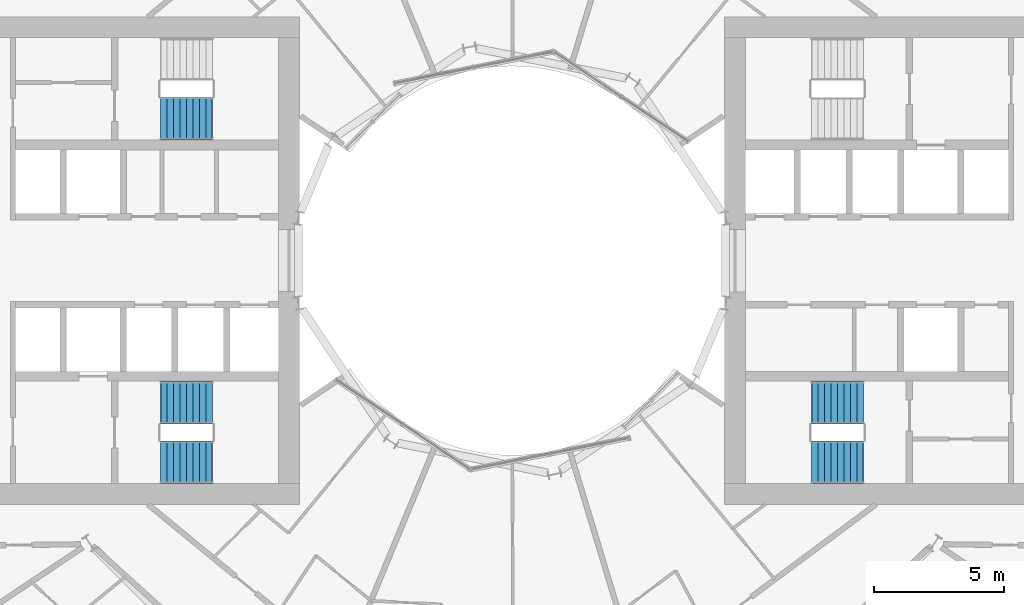
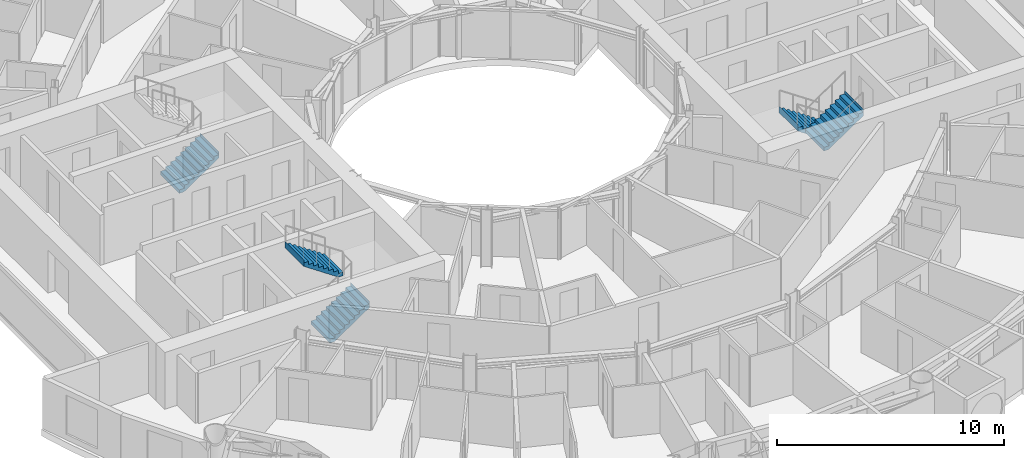
# One storey, part 23 of 26: 5 stair flights, 3 elements without a shape of their own.
"""IFC4 building model written with IfcOpenShell, lengths in metres."""

from ifc_helpers import new_model, si_unit, direction, frame, origin, place, context, subcontext, project, spatial, triangles, material, type_object, element, aggregate, save


model = new_model("IFC4")

# Units and contexts
model_context = context("Model", 3, precision=1e-05, world=origin(), true_north=direction((0.0, 1.0)))
body_context = subcontext(model_context, "Body", "Model", "MODEL_VIEW")
ifc_project = project(units=[si_unit("LENGTHUNIT", "METRE"), si_unit("AREAUNIT", "SQUARE_METRE"), si_unit("VOLUMEUNIT", "CUBIC_METRE"), si_unit("PLANEANGLEUNIT", "RADIAN"), si_unit("MASSUNIT", "GRAM", prefix="KILO")], contexts=[model_context])

# Site, building, storey
site_placement = place(None, origin())
site = spatial("IfcSite", under=ifc_project, at=site_placement, CompositionType="ELEMENT")
building_placement = place(site_placement, origin())
building = spatial("IfcBuilding", under=site, at=building_placement, Name="Maasbend Ring Residences", CompositionType="ELEMENT")
storey_placement = place(building_placement, frame((0.0, 0.0, 44.14990234375)))
storey = spatial("IfcBuildingStorey", under=building, at=storey_placement, Name="L12", CompositionType="ELEMENT", Elevation=44.14990234375)

# Stair, stair flights
ifc_material_1 = material(Name="Concrete C40/50", Category="concrete")
stair_type = type_object("IfcStairType", Name="CORE STAIR 18 RISERS", PredefinedType="HALF_TURN_STAIR", material=ifc_material_1)
stair_1_placement = place(storey_placement, origin())
stair_1 = element("IfcStair", 1, at=stair_1_placement, inside=storey, type_object=stair_type, Name="L12 Exit stair ST-E2", PredefinedType="HALF_TURN_STAIR")
ifc_material_2 = material(Name="Concrete C40/50", Category="concrete")
stair_flight_type = type_object("IfcStairFlightType", Name="CORE STAIR FLIGHT 1650", PredefinedType="STRAIGHT", material=ifc_material_2)
stair_flight_1_placement = place(storey_placement, frame((13.550048828125, -5.47509765625, 0.0), z_axis=(0.0, 0.0, 1.0), x_axis=(-1.0, 0.0, 0.0)))
stair_flight_1 = element("IfcStairFlight", 2, at=stair_flight_1_placement, type_object=stair_flight_type, Name="ST-E2 flight 1", NumberOfRisers=9, NumberOfTreads=8, PredefinedType="STRAIGHT", RiserHeight=0.169444444, TreadLength=0.25, context=body_context, shape_type="Tessellation", body=[
    triangles([(0.24072265625, 0.824951171875, -0.02001953125), (2.0029296875, 0.824951171875, 1.174560546875), (2.0029296875, 0.824951171875, 1.52490234375), (1.989990234375, 0.824951171875, 1.35546875), (1.75, 0.824951171875, 1.35546875), (1.75, 0.824951171875, 1.18603515625), (1.5, 0.824951171875, 1.18603515625), (1.5, 0.824951171875, 1.0166015625), (1.25, 0.824951171875, 1.0166015625), (1.25, 0.824951171875, 0.84716796875), (1.0, 0.824951171875, 0.84716796875), (1.0, 0.824951171875, 0.677734375), (0.75, 0.824951171875, 0.677734375), (0.75, 0.824951171875, 0.50830078125), (0.5, 0.824951171875, 0.50830078125), (0.5, 0.824951171875, 0.3388671875), (0.25, 0.824951171875, 0.3388671875), (0.25, 0.824951171875, 0.16943359375), (0.0, 0.824951171875, 0.16943359375), (0.0, 0.824951171875, 0.0), (-0.0029296875, 0.824951171875, 0.0), (-0.0029296875, 0.824951171875, -0.02001953125), (0.24072265625, 0.27490234375, -0.02001953125), (2.0029296875, 0.27490234375, 1.174560546875), (2.0029296875, 0.27490234375, 1.52490234375), (1.989990234375, 0.27490234375, 1.35546875), (1.75, 0.27490234375, 1.35546875), (1.75, 0.27490234375, 1.18603515625), (1.5, 0.27490234375, 1.18603515625), (1.5, 0.27490234375, 1.0166015625), (1.25, 0.27490234375, 1.0166015625), (1.25, 0.27490234375, 0.84716796875), (1.0, 0.27490234375, 0.84716796875), (1.0, 0.27490234375, 0.677734375), (0.75, 0.27490234375, 0.677734375), (0.75, 0.27490234375, 0.50830078125), (0.5, 0.27490234375, 0.50830078125), (0.5, 0.27490234375, 0.3388671875), (0.25, 0.27490234375, 0.3388671875), (0.25, 0.27490234375, 0.16943359375), (0.0, 0.27490234375, 0.16943359375), (0.0, 0.27490234375, 0.0), (-0.0029296875, 0.27490234375, 0.0), (-0.0029296875, 0.27490234375, -0.02001953125), (0.24072265625, -0.27490234375, -0.02001953125), (2.0029296875, -0.27490234375, 1.174560546875), (2.0029296875, -0.27490234375, 1.52490234375), (1.989990234375, -0.27490234375, 1.35546875), (1.75, -0.27490234375, 1.35546875), (1.75, -0.27490234375, 1.18603515625), (1.5, -0.27490234375, 1.18603515625), (1.5, -0.27490234375, 1.0166015625), (1.25, -0.27490234375, 1.0166015625), (1.25, -0.27490234375, 0.84716796875), (1.0, -0.27490234375, 0.84716796875), (1.0, -0.27490234375, 0.677734375), (0.75, -0.27490234375, 0.677734375), (0.75, -0.27490234375, 0.50830078125), (0.5, -0.27490234375, 0.50830078125), (0.5, -0.27490234375, 0.3388671875), (0.25, -0.27490234375, 0.3388671875), (0.25, -0.27490234375, 0.16943359375), (0.0, -0.27490234375, 0.16943359375), (0.0, -0.27490234375, 0.0), (-0.0029296875, -0.27490234375, 0.0), (-0.0029296875, -0.27490234375, -0.02001953125), (0.24072265625, -0.824951171875, -0.02001953125), (2.0029296875, -0.824951171875, 1.174560546875), (2.0029296875, -0.824951171875, 1.52490234375), (1.989990234375, -0.824951171875, 1.35546875), (1.75, -0.824951171875, 1.35546875), (1.75, -0.824951171875, 1.18603515625), (1.5, -0.824951171875, 1.18603515625), (1.5, -0.824951171875, 1.0166015625), (1.25, -0.824951171875, 1.0166015625), (1.25, -0.824951171875, 0.84716796875), (1.0, -0.824951171875, 0.84716796875), (1.0, -0.824951171875, 0.677734375), (0.75, -0.824951171875, 0.677734375), (0.75, -0.824951171875, 0.50830078125), (0.5, -0.824951171875, 0.50830078125), (0.5, -0.824951171875, 0.3388671875), (0.25, -0.824951171875, 0.3388671875), (0.25, -0.824951171875, 0.16943359375), (0.0, -0.824951171875, 0.16943359375), (0.0, -0.824951171875, 0.0), (-0.0029296875, -0.824951171875, 0.0), (-0.0029296875, -0.824951171875, -0.02001953125)], [[1, 2, 24], [1, 24, 23], [23, 24, 46], [23, 46, 45], [45, 46, 68], [45, 68, 67], [2, 3, 25], [2, 25, 24], [24, 25, 47], [24, 47, 46], [46, 47, 69], [46, 69, 68], [3, 4, 26], [3, 26, 25], [25, 26, 48], [25, 48, 47], [47, 48, 70], [47, 70, 69], [4, 5, 27], [4, 27, 26], [26, 27, 49], [26, 49, 48], [48, 49, 71], [48, 71, 70], [5, 6, 28], [5, 28, 27], [27, 28, 50], [27, 50, 49], [49, 50, 72], [49, 72, 71], [6, 7, 29], [6, 29, 28], [28, 29, 51], [28, 51, 50], [50, 51, 73], [50, 73, 72], [7, 8, 30], [7, 30, 29], [29, 30, 52], [29, 52, 51], [51, 52, 74], [51, 74, 73], [8, 9, 31], [8, 31, 30], [30, 31, 53], [30, 53, 52], [52, 53, 75], [52, 75, 74], [9, 10, 32], [9, 32, 31], [31, 32, 54], [31, 54, 53], [53, 54, 76], [53, 76, 75], [10, 11, 33], [10, 33, 32], [32, 33, 55], [32, 55, 54], [54, 55, 77], [54, 77, 76], [11, 12, 34], [11, 34, 33], [33, 34, 56], [33, 56, 55], [55, 56, 78], [55, 78, 77], [12, 13, 35], [12, 35, 34], [34, 35, 57], [34, 57, 56], [56, 57, 79], [56, 79, 78], [13, 14, 36], [13, 36, 35], [35, 36, 58], [35, 58, 57], [57, 58, 80], [57, 80, 79], [14, 15, 37], [14, 37, 36], [36, 37, 59], [36, 59, 58], [58, 59, 81], [58, 81, 80], [15, 16, 38], [15, 38, 37], [37, 38, 60], [37, 60, 59], [59, 60, 82], [59, 82, 81], [16, 17, 39], [16, 39, 38], [38, 39, 61], [38, 61, 60], [60, 61, 83], [60, 83, 82], [17, 18, 40], [17, 40, 39], [39, 40, 62], [39, 62, 61], [61, 62, 84], [61, 84, 83], [18, 19, 41], [18, 41, 40], [40, 41, 63], [40, 63, 62], [62, 63, 85], [62, 85, 84], [19, 20, 42], [19, 42, 41], [41, 42, 64], [41, 64, 63], [63, 64, 86], [63, 86, 85], [20, 21, 43], [20, 43, 42], [42, 43, 65], [42, 65, 64], [64, 65, 87], [64, 87, 86], [21, 22, 44], [21, 44, 43], [43, 44, 66], [43, 66, 65], [65, 66, 88], [65, 88, 87], [22, 1, 23], [22, 23, 44], [44, 23, 45], [44, 45, 66], [66, 45, 67], [66, 67, 88], [22, 2, 1], [2, 4, 3], [2, 5, 4], [2, 6, 5], [22, 6, 2], [6, 8, 7], [22, 8, 6], [8, 10, 9], [22, 10, 8], [10, 12, 11], [22, 12, 10], [12, 14, 13], [22, 14, 12], [14, 16, 15], [22, 16, 14], [16, 18, 17], [22, 18, 16], [18, 20, 19], [22, 20, 18], [20, 22, 21], [88, 67, 68], [68, 69, 70], [68, 70, 71], [68, 71, 72], [88, 68, 72], [72, 73, 74], [88, 72, 74], [74, 75, 76], [88, 74, 76], [76, 77, 78], [88, 76, 78], [78, 79, 80], [88, 78, 80], [80, 81, 82], [88, 80, 82], [82, 83, 84], [88, 82, 84], [84, 85, 86], [88, 84, 86], [86, 87, 88]], closed=True),
])
stair_flight_2_placement = place(storey_placement, frame((11.550048828125, -7.77490234375, 1.525146484375), z_axis=(0.0, 0.0, 1.0), x_axis=(1.0, 0.0, 0.0)))
stair_flight_2 = element("IfcStairFlight", 3, at=stair_flight_2_placement, type_object=stair_flight_type, Name="ST-E2 flight 2", NumberOfRisers=9, NumberOfTreads=8, PredefinedType="STRAIGHT", RiserHeight=0.169444444, TreadLength=0.25, context=body_context, shape_type="Tessellation", body=[
    triangles([(0.24072265625, 0.824951171875, -0.02001953125), (2.0029296875, 0.824951171875, 1.174560546875), (2.0029296875, 0.824951171875, 1.52490234375), (1.989990234375, 0.824951171875, 1.35546875), (1.75, 0.824951171875, 1.35546875), (1.75, 0.824951171875, 1.18603515625), (1.5, 0.824951171875, 1.18603515625), (1.5, 0.824951171875, 1.0166015625), (1.25, 0.824951171875, 1.0166015625), (1.25, 0.824951171875, 0.84716796875), (1.0, 0.824951171875, 0.84716796875), (1.0, 0.824951171875, 0.677734375), (0.75, 0.824951171875, 0.677734375), (0.75, 0.824951171875, 0.50830078125), (0.5, 0.824951171875, 0.50830078125), (0.5, 0.824951171875, 0.3388671875), (0.25, 0.824951171875, 0.3388671875), (0.25, 0.824951171875, 0.16943359375), (0.0, 0.824951171875, 0.16943359375), (0.0, 0.824951171875, 0.0), (-0.0029296875, 0.824951171875, 0.0), (-0.0029296875, 0.824951171875, -0.02001953125), (0.24072265625, 0.27490234375, -0.02001953125), (2.0029296875, 0.27490234375, 1.174560546875), (2.0029296875, 0.27490234375, 1.52490234375), (1.989990234375, 0.27490234375, 1.35546875), (1.75, 0.27490234375, 1.35546875), (1.75, 0.27490234375, 1.18603515625), (1.5, 0.27490234375, 1.18603515625), (1.5, 0.27490234375, 1.0166015625), (1.25, 0.27490234375, 1.0166015625), (1.25, 0.27490234375, 0.84716796875), (1.0, 0.27490234375, 0.84716796875), (1.0, 0.27490234375, 0.677734375), (0.75, 0.27490234375, 0.677734375), (0.75, 0.27490234375, 0.50830078125), (0.5, 0.27490234375, 0.50830078125), (0.5, 0.27490234375, 0.3388671875), (0.25, 0.27490234375, 0.3388671875), (0.25, 0.27490234375, 0.16943359375), (0.0, 0.27490234375, 0.16943359375), (0.0, 0.27490234375, 0.0), (-0.0029296875, 0.27490234375, 0.0), (-0.0029296875, 0.27490234375, -0.02001953125), (0.24072265625, -0.27490234375, -0.02001953125), (2.0029296875, -0.27490234375, 1.174560546875), (2.0029296875, -0.27490234375, 1.52490234375), (1.989990234375, -0.27490234375, 1.35546875), (1.75, -0.27490234375, 1.35546875), (1.75, -0.27490234375, 1.18603515625), (1.5, -0.27490234375, 1.18603515625), (1.5, -0.27490234375, 1.0166015625), (1.25, -0.27490234375, 1.0166015625), (1.25, -0.27490234375, 0.84716796875), (1.0, -0.27490234375, 0.84716796875), (1.0, -0.27490234375, 0.677734375), (0.75, -0.27490234375, 0.677734375), (0.75, -0.27490234375, 0.50830078125), (0.5, -0.27490234375, 0.50830078125), (0.5, -0.27490234375, 0.3388671875), (0.25, -0.27490234375, 0.3388671875), (0.25, -0.27490234375, 0.16943359375), (0.0, -0.27490234375, 0.16943359375), (0.0, -0.27490234375, 0.0), (-0.0029296875, -0.27490234375, 0.0), (-0.0029296875, -0.27490234375, -0.02001953125), (0.24072265625, -0.824951171875, -0.02001953125), (2.0029296875, -0.824951171875, 1.174560546875), (2.0029296875, -0.824951171875, 1.52490234375), (1.989990234375, -0.824951171875, 1.35546875), (1.75, -0.824951171875, 1.35546875), (1.75, -0.824951171875, 1.18603515625), (1.5, -0.824951171875, 1.18603515625), (1.5, -0.824951171875, 1.0166015625), (1.25, -0.824951171875, 1.0166015625), (1.25, -0.824951171875, 0.84716796875), (1.0, -0.824951171875, 0.84716796875), (1.0, -0.824951171875, 0.677734375), (0.75, -0.824951171875, 0.677734375), (0.75, -0.824951171875, 0.50830078125), (0.5, -0.824951171875, 0.50830078125), (0.5, -0.824951171875, 0.3388671875), (0.25, -0.824951171875, 0.3388671875), (0.25, -0.824951171875, 0.16943359375), (0.0, -0.824951171875, 0.16943359375), (0.0, -0.824951171875, 0.0), (-0.0029296875, -0.824951171875, 0.0), (-0.0029296875, -0.824951171875, -0.02001953125)], [[1, 2, 24], [1, 24, 23], [23, 24, 46], [23, 46, 45], [45, 46, 68], [45, 68, 67], [2, 3, 25], [2, 25, 24], [24, 25, 47], [24, 47, 46], [46, 47, 69], [46, 69, 68], [3, 4, 26], [3, 26, 25], [25, 26, 48], [25, 48, 47], [47, 48, 70], [47, 70, 69], [4, 5, 27], [4, 27, 26], [26, 27, 49], [26, 49, 48], [48, 49, 71], [48, 71, 70], [5, 6, 28], [5, 28, 27], [27, 28, 50], [27, 50, 49], [49, 50, 72], [49, 72, 71], [6, 7, 29], [6, 29, 28], [28, 29, 51], [28, 51, 50], [50, 51, 73], [50, 73, 72], [7, 8, 30], [7, 30, 29], [29, 30, 52], [29, 52, 51], [51, 52, 74], [51, 74, 73], [8, 9, 31], [8, 31, 30], [30, 31, 53], [30, 53, 52], [52, 53, 75], [52, 75, 74], [9, 10, 32], [9, 32, 31], [31, 32, 54], [31, 54, 53], [53, 54, 76], [53, 76, 75], [10, 11, 33], [10, 33, 32], [32, 33, 55], [32, 55, 54], [54, 55, 77], [54, 77, 76], [11, 12, 34], [11, 34, 33], [33, 34, 56], [33, 56, 55], [55, 56, 78], [55, 78, 77], [12, 13, 35], [12, 35, 34], [34, 35, 57], [34, 57, 56], [56, 57, 79], [56, 79, 78], [13, 14, 36], [13, 36, 35], [35, 36, 58], [35, 58, 57], [57, 58, 80], [57, 80, 79], [14, 15, 37], [14, 37, 36], [36, 37, 59], [36, 59, 58], [58, 59, 81], [58, 81, 80], [15, 16, 38], [15, 38, 37], [37, 38, 60], [37, 60, 59], [59, 60, 82], [59, 82, 81], [16, 17, 39], [16, 39, 38], [38, 39, 61], [38, 61, 60], [60, 61, 83], [60, 83, 82], [17, 18, 40], [17, 40, 39], [39, 40, 62], [39, 62, 61], [61, 62, 84], [61, 84, 83], [18, 19, 41], [18, 41, 40], [40, 41, 63], [40, 63, 62], [62, 63, 85], [62, 85, 84], [19, 20, 42], [19, 42, 41], [41, 42, 64], [41, 64, 63], [63, 64, 86], [63, 86, 85], [20, 21, 43], [20, 43, 42], [42, 43, 65], [42, 65, 64], [64, 65, 87], [64, 87, 86], [21, 22, 44], [21, 44, 43], [43, 44, 66], [43, 66, 65], [65, 66, 88], [65, 88, 87], [22, 1, 23], [22, 23, 44], [44, 23, 45], [44, 45, 66], [66, 45, 67], [66, 67, 88], [22, 2, 1], [2, 4, 3], [2, 5, 4], [2, 6, 5], [22, 6, 2], [6, 8, 7], [22, 8, 6], [8, 10, 9], [22, 10, 8], [10, 12, 11], [22, 12, 10], [12, 14, 13], [22, 14, 12], [14, 16, 15], [22, 16, 14], [16, 18, 17], [22, 18, 16], [18, 20, 19], [22, 20, 18], [20, 22, 21], [88, 67, 68], [68, 69, 70], [68, 70, 71], [68, 71, 72], [88, 68, 72], [72, 73, 74], [88, 72, 74], [74, 75, 76], [88, 74, 76], [76, 77, 78], [88, 76, 78], [78, 79, 80], [88, 78, 80], [80, 81, 82], [88, 80, 82], [82, 83, 84], [88, 82, 84], [84, 85, 86], [88, 84, 86], [86, 87, 88]], closed=True),
])
aggregate(stair_1, [stair_flight_1, stair_flight_2])

stair_2_placement = place(storey_placement, origin())
stair_2 = element("IfcStair", 4, at=stair_2_placement, inside=storey, type_object=stair_type, Name="L12 Exit stair ST-W1", PredefinedType="HALF_TURN_STAIR")
stair_flight_3_placement = place(storey_placement, frame((-13.550048828125, -7.77490234375, 0.0), z_axis=(0.0, 0.0, 1.0), x_axis=(1.0, 0.0, 0.0)))
stair_flight_3 = element("IfcStairFlight", 5, at=stair_flight_3_placement, type_object=stair_flight_type, Name="ST-W1 flight 1", NumberOfRisers=9, NumberOfTreads=8, PredefinedType="STRAIGHT", RiserHeight=0.169444444, TreadLength=0.25, context=body_context, shape_type="Tessellation", body=[
    triangles([(0.24072265625, 0.824951171875, -0.02001953125), (2.0029296875, 0.824951171875, 1.174560546875), (2.0029296875, 0.824951171875, 1.52490234375), (1.989990234375, 0.824951171875, 1.35546875), (1.75, 0.824951171875, 1.35546875), (1.75, 0.824951171875, 1.18603515625), (1.5, 0.824951171875, 1.18603515625), (1.5, 0.824951171875, 1.0166015625), (1.25, 0.824951171875, 1.0166015625), (1.25, 0.824951171875, 0.84716796875), (1.0, 0.824951171875, 0.84716796875), (1.0, 0.824951171875, 0.677734375), (0.75, 0.824951171875, 0.677734375), (0.75, 0.824951171875, 0.50830078125), (0.5, 0.824951171875, 0.50830078125), (0.5, 0.824951171875, 0.3388671875), (0.25, 0.824951171875, 0.3388671875), (0.25, 0.824951171875, 0.16943359375), (0.0, 0.824951171875, 0.16943359375), (0.0, 0.824951171875, 0.0), (-0.0029296875, 0.824951171875, 0.0), (-0.0029296875, 0.824951171875, -0.02001953125), (0.24072265625, 0.27490234375, -0.02001953125), (2.0029296875, 0.27490234375, 1.174560546875), (2.0029296875, 0.27490234375, 1.52490234375), (1.989990234375, 0.27490234375, 1.35546875), (1.75, 0.27490234375, 1.35546875), (1.75, 0.27490234375, 1.18603515625), (1.5, 0.27490234375, 1.18603515625), (1.5, 0.27490234375, 1.0166015625), (1.25, 0.27490234375, 1.0166015625), (1.25, 0.27490234375, 0.84716796875), (1.0, 0.27490234375, 0.84716796875), (1.0, 0.27490234375, 0.677734375), (0.75, 0.27490234375, 0.677734375), (0.75, 0.27490234375, 0.50830078125), (0.5, 0.27490234375, 0.50830078125), (0.5, 0.27490234375, 0.3388671875), (0.25, 0.27490234375, 0.3388671875), (0.25, 0.27490234375, 0.16943359375), (0.0, 0.27490234375, 0.16943359375), (0.0, 0.27490234375, 0.0), (-0.0029296875, 0.27490234375, 0.0), (-0.0029296875, 0.27490234375, -0.02001953125), (0.24072265625, -0.27490234375, -0.02001953125), (2.0029296875, -0.27490234375, 1.174560546875), (2.0029296875, -0.27490234375, 1.52490234375), (1.989990234375, -0.27490234375, 1.35546875), (1.75, -0.27490234375, 1.35546875), (1.75, -0.27490234375, 1.18603515625), (1.5, -0.27490234375, 1.18603515625), (1.5, -0.27490234375, 1.0166015625), (1.25, -0.27490234375, 1.0166015625), (1.25, -0.27490234375, 0.84716796875), (1.0, -0.27490234375, 0.84716796875), (1.0, -0.27490234375, 0.677734375), (0.75, -0.27490234375, 0.677734375), (0.75, -0.27490234375, 0.50830078125), (0.5, -0.27490234375, 0.50830078125), (0.5, -0.27490234375, 0.3388671875), (0.25, -0.27490234375, 0.3388671875), (0.25, -0.27490234375, 0.16943359375), (0.0, -0.27490234375, 0.16943359375), (0.0, -0.27490234375, 0.0), (-0.0029296875, -0.27490234375, 0.0), (-0.0029296875, -0.27490234375, -0.02001953125), (0.24072265625, -0.824951171875, -0.02001953125), (2.0029296875, -0.824951171875, 1.174560546875), (2.0029296875, -0.824951171875, 1.52490234375), (1.989990234375, -0.824951171875, 1.35546875), (1.75, -0.824951171875, 1.35546875), (1.75, -0.824951171875, 1.18603515625), (1.5, -0.824951171875, 1.18603515625), (1.5, -0.824951171875, 1.0166015625), (1.25, -0.824951171875, 1.0166015625), (1.25, -0.824951171875, 0.84716796875), (1.0, -0.824951171875, 0.84716796875), (1.0, -0.824951171875, 0.677734375), (0.75, -0.824951171875, 0.677734375), (0.75, -0.824951171875, 0.50830078125), (0.5, -0.824951171875, 0.50830078125), (0.5, -0.824951171875, 0.3388671875), (0.25, -0.824951171875, 0.3388671875), (0.25, -0.824951171875, 0.16943359375), (0.0, -0.824951171875, 0.16943359375), (0.0, -0.824951171875, 0.0), (-0.0029296875, -0.824951171875, 0.0), (-0.0029296875, -0.824951171875, -0.02001953125)], [[1, 2, 24], [1, 24, 23], [23, 24, 46], [23, 46, 45], [45, 46, 68], [45, 68, 67], [2, 3, 25], [2, 25, 24], [24, 25, 47], [24, 47, 46], [46, 47, 69], [46, 69, 68], [3, 4, 26], [3, 26, 25], [25, 26, 48], [25, 48, 47], [47, 48, 70], [47, 70, 69], [4, 5, 27], [4, 27, 26], [26, 27, 49], [26, 49, 48], [48, 49, 71], [48, 71, 70], [5, 6, 28], [5, 28, 27], [27, 28, 50], [27, 50, 49], [49, 50, 72], [49, 72, 71], [6, 7, 29], [6, 29, 28], [28, 29, 51], [28, 51, 50], [50, 51, 73], [50, 73, 72], [7, 8, 30], [7, 30, 29], [29, 30, 52], [29, 52, 51], [51, 52, 74], [51, 74, 73], [8, 9, 31], [8, 31, 30], [30, 31, 53], [30, 53, 52], [52, 53, 75], [52, 75, 74], [9, 10, 32], [9, 32, 31], [31, 32, 54], [31, 54, 53], [53, 54, 76], [53, 76, 75], [10, 11, 33], [10, 33, 32], [32, 33, 55], [32, 55, 54], [54, 55, 77], [54, 77, 76], [11, 12, 34], [11, 34, 33], [33, 34, 56], [33, 56, 55], [55, 56, 78], [55, 78, 77], [12, 13, 35], [12, 35, 34], [34, 35, 57], [34, 57, 56], [56, 57, 79], [56, 79, 78], [13, 14, 36], [13, 36, 35], [35, 36, 58], [35, 58, 57], [57, 58, 80], [57, 80, 79], [14, 15, 37], [14, 37, 36], [36, 37, 59], [36, 59, 58], [58, 59, 81], [58, 81, 80], [15, 16, 38], [15, 38, 37], [37, 38, 60], [37, 60, 59], [59, 60, 82], [59, 82, 81], [16, 17, 39], [16, 39, 38], [38, 39, 61], [38, 61, 60], [60, 61, 83], [60, 83, 82], [17, 18, 40], [17, 40, 39], [39, 40, 62], [39, 62, 61], [61, 62, 84], [61, 84, 83], [18, 19, 41], [18, 41, 40], [40, 41, 63], [40, 63, 62], [62, 63, 85], [62, 85, 84], [19, 20, 42], [19, 42, 41], [41, 42, 64], [41, 64, 63], [63, 64, 86], [63, 86, 85], [20, 21, 43], [20, 43, 42], [42, 43, 65], [42, 65, 64], [64, 65, 87], [64, 87, 86], [21, 22, 44], [21, 44, 43], [43, 44, 66], [43, 66, 65], [65, 66, 88], [65, 88, 87], [22, 1, 23], [22, 23, 44], [44, 23, 45], [44, 45, 66], [66, 45, 67], [66, 67, 88], [22, 2, 1], [2, 4, 3], [2, 5, 4], [2, 6, 5], [22, 6, 2], [6, 8, 7], [22, 8, 6], [8, 10, 9], [22, 10, 8], [10, 12, 11], [22, 12, 10], [12, 14, 13], [22, 14, 12], [14, 16, 15], [22, 16, 14], [16, 18, 17], [22, 18, 16], [18, 20, 19], [22, 20, 18], [20, 22, 21], [88, 67, 68], [68, 69, 70], [68, 70, 71], [68, 71, 72], [88, 68, 72], [72, 73, 74], [88, 72, 74], [74, 75, 76], [88, 74, 76], [76, 77, 78], [88, 76, 78], [78, 79, 80], [88, 78, 80], [80, 81, 82], [88, 80, 82], [82, 83, 84], [88, 82, 84], [84, 85, 86], [88, 84, 86], [86, 87, 88]], closed=True),
])
stair_flight_4_placement = place(storey_placement, frame((-11.550048828125, -5.47509765625, 1.525146484375), z_axis=(0.0, 0.0, 1.0), x_axis=(-1.0, 0.0, 0.0)))
stair_flight_4 = element("IfcStairFlight", 6, at=stair_flight_4_placement, type_object=stair_flight_type, Name="ST-W1 flight 2", NumberOfRisers=9, NumberOfTreads=8, PredefinedType="STRAIGHT", RiserHeight=0.169444444, TreadLength=0.25, context=body_context, shape_type="Tessellation", body=[
    triangles([(0.24072265625, 0.824951171875, -0.02001953125), (2.0029296875, 0.824951171875, 1.174560546875), (2.0029296875, 0.824951171875, 1.52490234375), (1.989990234375, 0.824951171875, 1.35546875), (1.75, 0.824951171875, 1.35546875), (1.75, 0.824951171875, 1.18603515625), (1.5, 0.824951171875, 1.18603515625), (1.5, 0.824951171875, 1.0166015625), (1.25, 0.824951171875, 1.0166015625), (1.25, 0.824951171875, 0.84716796875), (1.0, 0.824951171875, 0.84716796875), (1.0, 0.824951171875, 0.677734375), (0.75, 0.824951171875, 0.677734375), (0.75, 0.824951171875, 0.50830078125), (0.5, 0.824951171875, 0.50830078125), (0.5, 0.824951171875, 0.3388671875), (0.25, 0.824951171875, 0.3388671875), (0.25, 0.824951171875, 0.16943359375), (0.0, 0.824951171875, 0.16943359375), (0.0, 0.824951171875, 0.0), (-0.0029296875, 0.824951171875, 0.0), (-0.0029296875, 0.824951171875, -0.02001953125), (0.24072265625, 0.27490234375, -0.02001953125), (2.0029296875, 0.27490234375, 1.174560546875), (2.0029296875, 0.27490234375, 1.52490234375), (1.989990234375, 0.27490234375, 1.35546875), (1.75, 0.27490234375, 1.35546875), (1.75, 0.27490234375, 1.18603515625), (1.5, 0.27490234375, 1.18603515625), (1.5, 0.27490234375, 1.0166015625), (1.25, 0.27490234375, 1.0166015625), (1.25, 0.27490234375, 0.84716796875), (1.0, 0.27490234375, 0.84716796875), (1.0, 0.27490234375, 0.677734375), (0.75, 0.27490234375, 0.677734375), (0.75, 0.27490234375, 0.50830078125), (0.5, 0.27490234375, 0.50830078125), (0.5, 0.27490234375, 0.3388671875), (0.25, 0.27490234375, 0.3388671875), (0.25, 0.27490234375, 0.16943359375), (0.0, 0.27490234375, 0.16943359375), (0.0, 0.27490234375, 0.0), (-0.0029296875, 0.27490234375, 0.0), (-0.0029296875, 0.27490234375, -0.02001953125), (0.24072265625, -0.27490234375, -0.02001953125), (2.0029296875, -0.27490234375, 1.174560546875), (2.0029296875, -0.27490234375, 1.52490234375), (1.989990234375, -0.27490234375, 1.35546875), (1.75, -0.27490234375, 1.35546875), (1.75, -0.27490234375, 1.18603515625), (1.5, -0.27490234375, 1.18603515625), (1.5, -0.27490234375, 1.0166015625), (1.25, -0.27490234375, 1.0166015625), (1.25, -0.27490234375, 0.84716796875), (1.0, -0.27490234375, 0.84716796875), (1.0, -0.27490234375, 0.677734375), (0.75, -0.27490234375, 0.677734375), (0.75, -0.27490234375, 0.50830078125), (0.5, -0.27490234375, 0.50830078125), (0.5, -0.27490234375, 0.3388671875), (0.25, -0.27490234375, 0.3388671875), (0.25, -0.27490234375, 0.16943359375), (0.0, -0.27490234375, 0.16943359375), (0.0, -0.27490234375, 0.0), (-0.0029296875, -0.27490234375, 0.0), (-0.0029296875, -0.27490234375, -0.02001953125), (0.24072265625, -0.824951171875, -0.02001953125), (2.0029296875, -0.824951171875, 1.174560546875), (2.0029296875, -0.824951171875, 1.52490234375), (1.989990234375, -0.824951171875, 1.35546875), (1.75, -0.824951171875, 1.35546875), (1.75, -0.824951171875, 1.18603515625), (1.5, -0.824951171875, 1.18603515625), (1.5, -0.824951171875, 1.0166015625), (1.25, -0.824951171875, 1.0166015625), (1.25, -0.824951171875, 0.84716796875), (1.0, -0.824951171875, 0.84716796875), (1.0, -0.824951171875, 0.677734375), (0.75, -0.824951171875, 0.677734375), (0.75, -0.824951171875, 0.50830078125), (0.5, -0.824951171875, 0.50830078125), (0.5, -0.824951171875, 0.3388671875), (0.25, -0.824951171875, 0.3388671875), (0.25, -0.824951171875, 0.16943359375), (0.0, -0.824951171875, 0.16943359375), (0.0, -0.824951171875, 0.0), (-0.0029296875, -0.824951171875, 0.0), (-0.0029296875, -0.824951171875, -0.02001953125)], [[1, 2, 24], [1, 24, 23], [23, 24, 46], [23, 46, 45], [45, 46, 68], [45, 68, 67], [2, 3, 25], [2, 25, 24], [24, 25, 47], [24, 47, 46], [46, 47, 69], [46, 69, 68], [3, 4, 26], [3, 26, 25], [25, 26, 48], [25, 48, 47], [47, 48, 70], [47, 70, 69], [4, 5, 27], [4, 27, 26], [26, 27, 49], [26, 49, 48], [48, 49, 71], [48, 71, 70], [5, 6, 28], [5, 28, 27], [27, 28, 50], [27, 50, 49], [49, 50, 72], [49, 72, 71], [6, 7, 29], [6, 29, 28], [28, 29, 51], [28, 51, 50], [50, 51, 73], [50, 73, 72], [7, 8, 30], [7, 30, 29], [29, 30, 52], [29, 52, 51], [51, 52, 74], [51, 74, 73], [8, 9, 31], [8, 31, 30], [30, 31, 53], [30, 53, 52], [52, 53, 75], [52, 75, 74], [9, 10, 32], [9, 32, 31], [31, 32, 54], [31, 54, 53], [53, 54, 76], [53, 76, 75], [10, 11, 33], [10, 33, 32], [32, 33, 55], [32, 55, 54], [54, 55, 77], [54, 77, 76], [11, 12, 34], [11, 34, 33], [33, 34, 56], [33, 56, 55], [55, 56, 78], [55, 78, 77], [12, 13, 35], [12, 35, 34], [34, 35, 57], [34, 57, 56], [56, 57, 79], [56, 79, 78], [13, 14, 36], [13, 36, 35], [35, 36, 58], [35, 58, 57], [57, 58, 80], [57, 80, 79], [14, 15, 37], [14, 37, 36], [36, 37, 59], [36, 59, 58], [58, 59, 81], [58, 81, 80], [15, 16, 38], [15, 38, 37], [37, 38, 60], [37, 60, 59], [59, 60, 82], [59, 82, 81], [16, 17, 39], [16, 39, 38], [38, 39, 61], [38, 61, 60], [60, 61, 83], [60, 83, 82], [17, 18, 40], [17, 40, 39], [39, 40, 62], [39, 62, 61], [61, 62, 84], [61, 84, 83], [18, 19, 41], [18, 41, 40], [40, 41, 63], [40, 63, 62], [62, 63, 85], [62, 85, 84], [19, 20, 42], [19, 42, 41], [41, 42, 64], [41, 64, 63], [63, 64, 86], [63, 86, 85], [20, 21, 43], [20, 43, 42], [42, 43, 65], [42, 65, 64], [64, 65, 87], [64, 87, 86], [21, 22, 44], [21, 44, 43], [43, 44, 66], [43, 66, 65], [65, 66, 88], [65, 88, 87], [22, 1, 23], [22, 23, 44], [44, 23, 45], [44, 45, 66], [66, 45, 67], [66, 67, 88], [22, 2, 1], [2, 4, 3], [2, 5, 4], [2, 6, 5], [22, 6, 2], [6, 8, 7], [22, 8, 6], [8, 10, 9], [22, 10, 8], [10, 12, 11], [22, 12, 10], [12, 14, 13], [22, 14, 12], [14, 16, 15], [22, 16, 14], [16, 18, 17], [22, 18, 16], [18, 20, 19], [22, 20, 18], [20, 22, 21], [88, 67, 68], [68, 69, 70], [68, 70, 71], [68, 71, 72], [88, 68, 72], [72, 73, 74], [88, 72, 74], [74, 75, 76], [88, 74, 76], [76, 77, 78], [88, 76, 78], [78, 79, 80], [88, 78, 80], [80, 81, 82], [88, 80, 82], [82, 83, 84], [88, 82, 84], [84, 85, 86], [88, 84, 86], [86, 87, 88]], closed=True),
])
aggregate(stair_2, [stair_flight_3, stair_flight_4])

# Stair, stair flight
stair_3_placement = place(storey_placement, origin())
stair_3 = element("IfcStair", 7, at=stair_3_placement, inside=storey, type_object=stair_type, Name="L12 Exit stair ST-W2", PredefinedType="HALF_TURN_STAIR")
stair_flight_5_placement = place(storey_placement, frame((-13.550048828125, 5.47509765625, 0.0), z_axis=(0.0, 0.0, 1.0), x_axis=(1.0, 0.0, 0.0)))
stair_flight_5 = element("IfcStairFlight", 8, at=stair_flight_5_placement, type_object=stair_flight_type, Name="ST-W2 flight 1", NumberOfRisers=9, NumberOfTreads=8, PredefinedType="STRAIGHT", RiserHeight=0.169444444, TreadLength=0.25, context=body_context, shape_type="Tessellation", body=[
    triangles([(0.24072265625, 0.824951171875, -0.02001953125), (2.0029296875, 0.824951171875, 1.174560546875), (2.0029296875, 0.824951171875, 1.52490234375), (1.989990234375, 0.824951171875, 1.35546875), (1.75, 0.824951171875, 1.35546875), (1.75, 0.824951171875, 1.18603515625), (1.5, 0.824951171875, 1.18603515625), (1.5, 0.824951171875, 1.0166015625), (1.25, 0.824951171875, 1.0166015625), (1.25, 0.824951171875, 0.84716796875), (1.0, 0.824951171875, 0.84716796875), (1.0, 0.824951171875, 0.677734375), (0.75, 0.824951171875, 0.677734375), (0.75, 0.824951171875, 0.50830078125), (0.5, 0.824951171875, 0.50830078125), (0.5, 0.824951171875, 0.3388671875), (0.25, 0.824951171875, 0.3388671875), (0.25, 0.824951171875, 0.16943359375), (0.0, 0.824951171875, 0.16943359375), (0.0, 0.824951171875, 0.0), (-0.0029296875, 0.824951171875, 0.0), (-0.0029296875, 0.824951171875, -0.02001953125), (0.24072265625, 0.27490234375, -0.02001953125), (2.0029296875, 0.27490234375, 1.174560546875), (2.0029296875, 0.27490234375, 1.52490234375), (1.989990234375, 0.27490234375, 1.35546875), (1.75, 0.27490234375, 1.35546875), (1.75, 0.27490234375, 1.18603515625), (1.5, 0.27490234375, 1.18603515625), (1.5, 0.27490234375, 1.0166015625), (1.25, 0.27490234375, 1.0166015625), (1.25, 0.27490234375, 0.84716796875), (1.0, 0.27490234375, 0.84716796875), (1.0, 0.27490234375, 0.677734375), (0.75, 0.27490234375, 0.677734375), (0.75, 0.27490234375, 0.50830078125), (0.5, 0.27490234375, 0.50830078125), (0.5, 0.27490234375, 0.3388671875), (0.25, 0.27490234375, 0.3388671875), (0.25, 0.27490234375, 0.16943359375), (0.0, 0.27490234375, 0.16943359375), (0.0, 0.27490234375, 0.0), (-0.0029296875, 0.27490234375, 0.0), (-0.0029296875, 0.27490234375, -0.02001953125), (0.24072265625, -0.27490234375, -0.02001953125), (2.0029296875, -0.27490234375, 1.174560546875), (2.0029296875, -0.27490234375, 1.52490234375), (1.989990234375, -0.27490234375, 1.35546875), (1.75, -0.27490234375, 1.35546875), (1.75, -0.27490234375, 1.18603515625), (1.5, -0.27490234375, 1.18603515625), (1.5, -0.27490234375, 1.0166015625), (1.25, -0.27490234375, 1.0166015625), (1.25, -0.27490234375, 0.84716796875), (1.0, -0.27490234375, 0.84716796875), (1.0, -0.27490234375, 0.677734375), (0.75, -0.27490234375, 0.677734375), (0.75, -0.27490234375, 0.50830078125), (0.5, -0.27490234375, 0.50830078125), (0.5, -0.27490234375, 0.3388671875), (0.25, -0.27490234375, 0.3388671875), (0.25, -0.27490234375, 0.16943359375), (0.0, -0.27490234375, 0.16943359375), (0.0, -0.27490234375, 0.0), (-0.0029296875, -0.27490234375, 0.0), (-0.0029296875, -0.27490234375, -0.02001953125), (0.24072265625, -0.824951171875, -0.02001953125), (2.0029296875, -0.824951171875, 1.174560546875), (2.0029296875, -0.824951171875, 1.52490234375), (1.989990234375, -0.824951171875, 1.35546875), (1.75, -0.824951171875, 1.35546875), (1.75, -0.824951171875, 1.18603515625), (1.5, -0.824951171875, 1.18603515625), (1.5, -0.824951171875, 1.0166015625), (1.25, -0.824951171875, 1.0166015625), (1.25, -0.824951171875, 0.84716796875), (1.0, -0.824951171875, 0.84716796875), (1.0, -0.824951171875, 0.677734375), (0.75, -0.824951171875, 0.677734375), (0.75, -0.824951171875, 0.50830078125), (0.5, -0.824951171875, 0.50830078125), (0.5, -0.824951171875, 0.3388671875), (0.25, -0.824951171875, 0.3388671875), (0.25, -0.824951171875, 0.16943359375), (0.0, -0.824951171875, 0.16943359375), (0.0, -0.824951171875, 0.0), (-0.0029296875, -0.824951171875, 0.0), (-0.0029296875, -0.824951171875, -0.02001953125)], [[1, 2, 24], [1, 24, 23], [23, 24, 46], [23, 46, 45], [45, 46, 68], [45, 68, 67], [2, 3, 25], [2, 25, 24], [24, 25, 47], [24, 47, 46], [46, 47, 69], [46, 69, 68], [3, 4, 26], [3, 26, 25], [25, 26, 48], [25, 48, 47], [47, 48, 70], [47, 70, 69], [4, 5, 27], [4, 27, 26], [26, 27, 49], [26, 49, 48], [48, 49, 71], [48, 71, 70], [5, 6, 28], [5, 28, 27], [27, 28, 50], [27, 50, 49], [49, 50, 72], [49, 72, 71], [6, 7, 29], [6, 29, 28], [28, 29, 51], [28, 51, 50], [50, 51, 73], [50, 73, 72], [7, 8, 30], [7, 30, 29], [29, 30, 52], [29, 52, 51], [51, 52, 74], [51, 74, 73], [8, 9, 31], [8, 31, 30], [30, 31, 53], [30, 53, 52], [52, 53, 75], [52, 75, 74], [9, 10, 32], [9, 32, 31], [31, 32, 54], [31, 54, 53], [53, 54, 76], [53, 76, 75], [10, 11, 33], [10, 33, 32], [32, 33, 55], [32, 55, 54], [54, 55, 77], [54, 77, 76], [11, 12, 34], [11, 34, 33], [33, 34, 56], [33, 56, 55], [55, 56, 78], [55, 78, 77], [12, 13, 35], [12, 35, 34], [34, 35, 57], [34, 57, 56], [56, 57, 79], [56, 79, 78], [13, 14, 36], [13, 36, 35], [35, 36, 58], [35, 58, 57], [57, 58, 80], [57, 80, 79], [14, 15, 37], [14, 37, 36], [36, 37, 59], [36, 59, 58], [58, 59, 81], [58, 81, 80], [15, 16, 38], [15, 38, 37], [37, 38, 60], [37, 60, 59], [59, 60, 82], [59, 82, 81], [16, 17, 39], [16, 39, 38], [38, 39, 61], [38, 61, 60], [60, 61, 83], [60, 83, 82], [17, 18, 40], [17, 40, 39], [39, 40, 62], [39, 62, 61], [61, 62, 84], [61, 84, 83], [18, 19, 41], [18, 41, 40], [40, 41, 63], [40, 63, 62], [62, 63, 85], [62, 85, 84], [19, 20, 42], [19, 42, 41], [41, 42, 64], [41, 64, 63], [63, 64, 86], [63, 86, 85], [20, 21, 43], [20, 43, 42], [42, 43, 65], [42, 65, 64], [64, 65, 87], [64, 87, 86], [21, 22, 44], [21, 44, 43], [43, 44, 66], [43, 66, 65], [65, 66, 88], [65, 88, 87], [22, 1, 23], [22, 23, 44], [44, 23, 45], [44, 45, 66], [66, 45, 67], [66, 67, 88], [22, 2, 1], [2, 4, 3], [2, 5, 4], [2, 6, 5], [22, 6, 2], [6, 8, 7], [22, 8, 6], [8, 10, 9], [22, 10, 8], [10, 12, 11], [22, 12, 10], [12, 14, 13], [22, 14, 12], [14, 16, 15], [22, 16, 14], [16, 18, 17], [22, 18, 16], [18, 20, 19], [22, 20, 18], [20, 22, 21], [88, 67, 68], [68, 69, 70], [68, 70, 71], [68, 71, 72], [88, 68, 72], [72, 73, 74], [88, 72, 74], [74, 75, 76], [88, 74, 76], [76, 77, 78], [88, 76, 78], [78, 79, 80], [88, 78, 80], [80, 81, 82], [88, 80, 82], [82, 83, 84], [88, 82, 84], [84, 85, 86], [88, 84, 86], [86, 87, 88]], closed=True),
])
aggregate(stair_3, [stair_flight_5])

save(model, "model.ifc")
